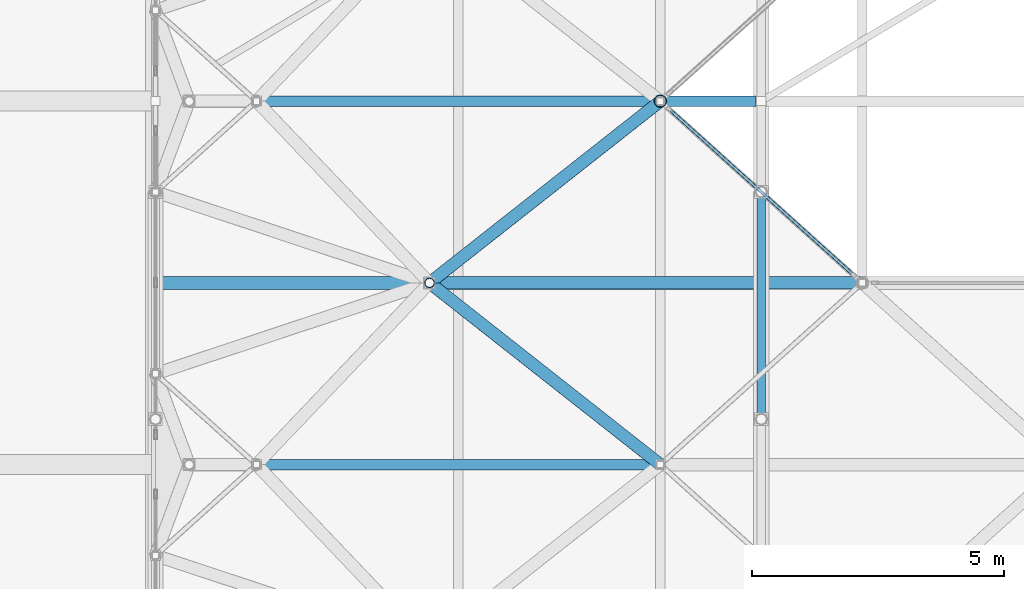
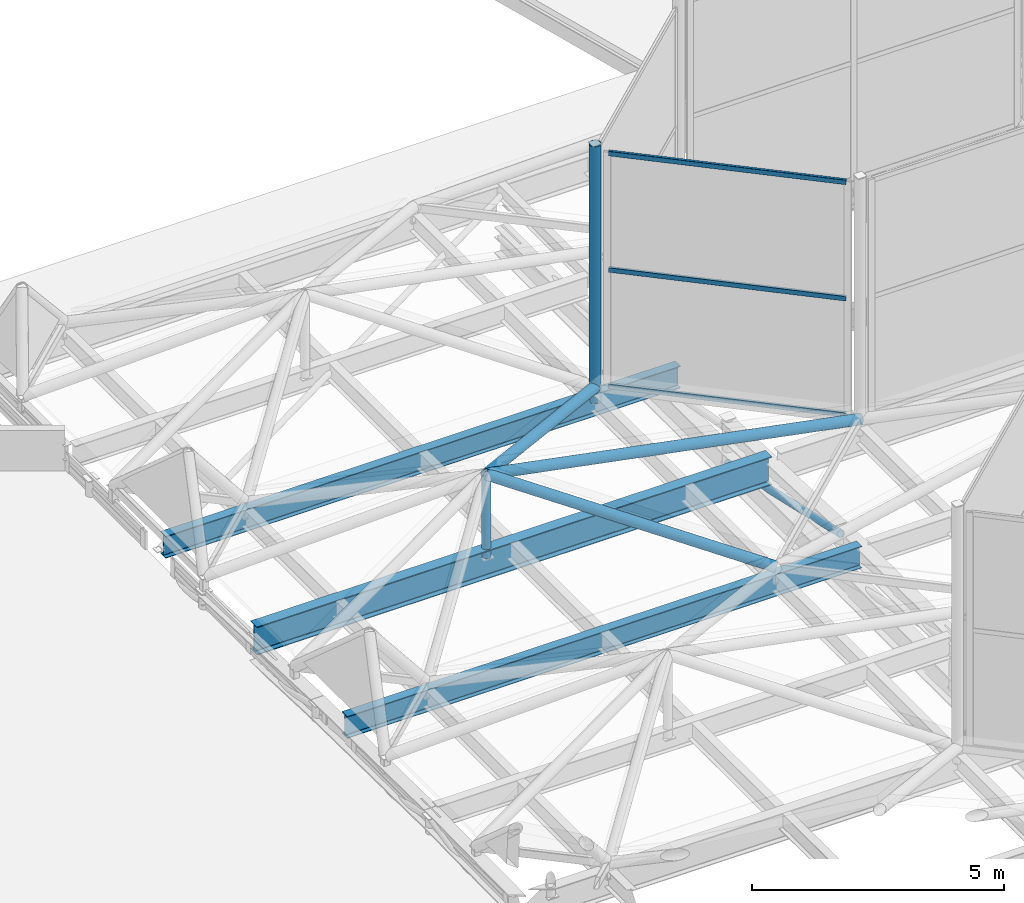
# One storey, part 65 of 239: 9 members, 3 beams, 1 element without a shape of its own.
"""IFC4 building model written with IfcOpenShell, lengths in metres."""

from ifc_helpers import new_model, si_unit, direction, frame, origin, origin_2d, place, context, subcontext, project, spatial, hollow_rectangle, hollow_circle, i_section, extrude, material, layer, layer_set, material_profile, profile_set, type_object, element, aggregate, save


model = new_model("IFC4")

# Units and contexts
model_context = context("Model", 3, precision=1e-05, world=origin(), true_north=direction((0.0, 1.0)))
body_context = subcontext(model_context, "Body", "Model", "MODEL_VIEW")
ifc_project = project(units=[si_unit("LENGTHUNIT", "METRE"), si_unit("AREAUNIT", "SQUARE_METRE"), si_unit("VOLUMEUNIT", "CUBIC_METRE"), si_unit("PLANEANGLEUNIT", "RADIAN"), si_unit("MASSUNIT", "GRAM", prefix="KILO")], contexts=[model_context])

# Site, building, storey
site_placement = place(None, origin())
site = spatial("IfcSite", under=ifc_project, at=site_placement, CompositionType="ELEMENT")
building_placement = place(site_placement, origin())
building = spatial("IfcBuilding", under=site, at=building_placement, Name="Dunvalen Ferry Terminal", CompositionType="ELEMENT")
storey_placement = place(building_placement, frame((0.0, 0.0, 9.840087890625)))
storey = spatial("IfcBuildingStorey", under=building, at=storey_placement, Name="L02", CompositionType="ELEMENT", Elevation=9.840087890625)

# Curtain wall, members
ifc_material_1 = material(Name="Anodised marine aluminium and solar-control glazing", Category="aluminium")
ifc_layer = layer(ifc_material_1, 0.179931640625, Name="Anodised marine aluminium and solar-control glazing")
ifc_layer_set = layer_set([ifc_layer], Name="Anodised marine aluminium and solar-control glazing")
curtain_wall_type = type_object("IfcCurtainWallType", Name="ENV-CW-SYS-05", PredefinedType="NOTDEFINED", material=ifc_layer_set)
curtain_wall_placement = place(storey_placement, origin())
curtain_wall = element("IfcCurtainWall", 1, at=curtain_wall_placement, inside=storey, type_object=curtain_wall_type, Name="L02 Curtain Wall CW-HEX-16-SK-1", PredefinedType="NOTDEFINED")
ifc_material_2 = material(Name="Anodised marine aluminium EN AW-6063 T6", Category="aluminium")
ifc_material_profile_1 = material_profile(ifc_material_2, hollow_rectangle(XDim=0.06005859375, YDim=0.114990234375, WallThickness=0.0029296875, InnerFilletRadius=0.0029296875, OuterFilletRadius=0.006103515625, at=origin_2d()), Name="Anodised marine aluminium EN AW-6063 T6")
ifc_profile_set_1 = profile_set([ifc_material_profile_1], Name="Anodised marine aluminium EN AW-6063 T6")
member_type_1 = type_object("IfcMemberType", Name="ENV-CW-TRN-3", PredefinedType="USERDEFINED", material=ifc_profile_set_1)
member_1_placement = place(storey_placement, frame((22.2080078125, 79.0126953125, 1.169921875), z_axis=(0.743319323261, -0.668936756104, 0.0), x_axis=(0.668936756104, 0.743319323261, 0.0)))
member_1 = element("IfcMember", 2, at=member_1_placement, type_object=member_type_1, Name="CW-05 transom 1.1", ObjectType="TRANSOM", PredefinedType="USERDEFINED", context=body_context, shape_type="SweptSolid", body=[
    extrude(hollow_rectangle(XDim=0.06005859375, YDim=0.114990234375, WallThickness=0.0029296875, InnerFilletRadius=0.0029296875, OuterFilletRadius=0.006103515625, at=origin_2d()), origin(), (0.0, 0.0, 1.0), 4.821533203125),
])
member_2_placement = place(storey_placement, frame((22.2080078125, 79.0126953125, 3.989990234375), z_axis=(0.743319323261, -0.668936756104, 0.0), x_axis=(0.668936756104, 0.743319323261, 0.0)))
member_2 = element("IfcMember", 3, at=member_2_placement, type_object=member_type_1, Name="CW-05 transom 1.2", ObjectType="TRANSOM", PredefinedType="USERDEFINED", context=body_context, shape_type="SweptSolid", body=[
    extrude(hollow_rectangle(XDim=0.06005859375, YDim=0.114990234375, WallThickness=0.0029296875, InnerFilletRadius=0.0029296875, OuterFilletRadius=0.006103515625, at=origin_2d()), origin(), (0.0, 0.0, 1.0), 4.821533203125),
])
member_3_placement = place(storey_placement, frame((22.2080078125, 79.0126953125, 6.809814453125), z_axis=(0.743319323261, -0.668936756104, 0.0), x_axis=(0.668936756104, 0.743319323261, 0.0)))
member_3 = element("IfcMember", 4, at=member_3_placement, type_object=member_type_1, Name="CW-05 transom 1.3", ObjectType="TRANSOM", PredefinedType="USERDEFINED", context=body_context, shape_type="SweptSolid", body=[
    extrude(hollow_rectangle(XDim=0.06005859375, YDim=0.114990234375, WallThickness=0.0029296875, InnerFilletRadius=0.0029296875, OuterFilletRadius=0.006103515625, at=origin_2d()), origin(), (0.0, 0.0, 1.0), 4.821533203125),
])
aggregate(curtain_wall, [member_1, member_2, member_3])

# Beams
ifc_material_3 = material(Name="Steel S355", Category="steel")
ifc_material_profile_2 = material_profile(ifc_material_3, i_section(OverallWidth=0.209228515625, OverallDepth=0.533203125, WebThickness=0.010009765625, FlangeThickness=0.015625, FilletRadius=0.0126953125, at=origin_2d()), Name="Steel S355")
ifc_profile_set_2 = profile_set([ifc_material_profile_2], Name="Steel S355")
beam_type_1 = type_object("IfcBeamType", Name="STR-BM-UKB533", PredefinedType="BEAM", material=ifc_profile_set_2)
for number, where, z_axis, x_axis, name in (
    (5, (12.10009765625, 72.0, 0.7333984375), (1.0, 0.0, 0.0), (0.0, 1.0, 0.0), "Departure Hall Spine Girder B1.07"),
    (6, (12.10009765625, 79.199951171875, 0.7333984375), (1.0, 0.0, 0.0), (0.0, 1.0, 0.0), "Departure Hall Spine Girder B1.09"),
):
    element("IfcBeam", number, at=place(storey_placement, frame(where, z_axis=z_axis, x_axis=x_axis)), inside=storey, type_object=beam_type_1, Name=name, PredefinedType="BEAM", context=body_context, shape_type="SweptSolid", body=[
        extrude(i_section(OverallWidth=0.209228515625, OverallDepth=0.533203125, WebThickness=0.010009765625, FlangeThickness=0.015625, FilletRadius=0.0126953125, at=origin_2d()), origin(), (0.0, 0.0, 1.0), 11.7998046875),
    ])
ifc_material_profile_3 = material_profile(ifc_material_3, i_section(OverallWidth=0.253662109375, OverallDepth=0.68359375, WebThickness=0.012451171875, FlangeThickness=0.01904296875, FilletRadius=0.01513671875, at=origin_2d()), Name="Steel S355")
ifc_profile_set_3 = profile_set([ifc_material_profile_3], Name="Steel S355")
beam_type_2 = type_object("IfcBeamType", Name="STR-BM-UKB686", PredefinedType="BEAM", material=ifc_profile_set_3)
beam_placement = place(storey_placement, frame((12.10009765625, 75.60009765625, 0.658203125), z_axis=(1.0, 0.0, 0.0), x_axis=(0.0, 1.0, 0.0)))
element("IfcBeam", 7, at=beam_placement, inside=storey, type_object=beam_type_2, Name="Departure Hall Spine Girder B1.08", PredefinedType="BEAM", context=body_context, shape_type="SweptSolid", body=[
    extrude(i_section(OverallWidth=0.253662109375, OverallDepth=0.68359375, WebThickness=0.012451171875, FlangeThickness=0.01904296875, FilletRadius=0.01513671875, at=origin_2d()), origin(), (0.0, 0.0, 1.0), 11.7998046875),
])

# Members
ifc_material_profile_4 = material_profile(ifc_material_3, hollow_circle(Radius=0.084228515625, WallThickness=0.008056640625, at=origin_2d()), Name="Steel S355")
ifc_profile_set_4 = profile_set([ifc_material_profile_4], Name="Steel S355")
member_type_2 = type_object("IfcMemberType", Name="STR-MB-CHS168", PredefinedType="BRACE", material=ifc_profile_set_4)
member_4_placement = place(storey_placement, frame((24.0, 72.89990234375, 0.65869140625), z_axis=(0.0, 0.975316524259, -0.220811407104), x_axis=(-1.0, 0.0, 0.0)))
element("IfcMember", 8, at=member_4_placement, inside=storey, type_object=member_type_2, Name="Departure Hall Arch Web Diagonal 02.6", PredefinedType="BRACE", context=body_context, shape_type="SweptSolid", body=[
    extrude(hollow_circle(Radius=0.084228515625, WallThickness=0.008056640625, at=origin_2d()), origin(), (0.0, 0.0, 1.0), 4.61376953125),
])
ifc_material_profile_5 = material_profile(ifc_material_3, hollow_circle(Radius=0.096923828125, WallThickness=0.008056640625, at=origin_2d()), Name="Steel S355")
ifc_profile_set_5 = profile_set([ifc_material_profile_5], Name="Steel S355")
member_type_3 = type_object("IfcMemberType", Name="STR-MB-CHS193", PredefinedType="STRUT", material=ifc_profile_set_5)
member_5_placement = place(storey_placement, frame((17.4287109375, 75.60009765625, 0.77001953125), z_axis=(0.0, 0.0, 1.0), x_axis=(1.0, 0.0, 0.0)))
element("IfcMember", 9, at=member_5_placement, inside=storey, type_object=member_type_3, Name="HEX-10 Pyramid Apex Strut", PredefinedType="STRUT", context=body_context, shape_type="SweptSolid", body=[
    extrude(hollow_circle(Radius=0.096923828125, WallThickness=0.008056640625, at=origin_2d()), origin(), (0.0, 0.0, 1.0), 1.994873046875),
])
ifc_material_profile_6 = material_profile(ifc_material_3, hollow_circle(Radius=0.122314453125, WallThickness=0.010009765625, at=origin_2d()), Name="Steel S355")
ifc_profile_set_6 = profile_set([ifc_material_profile_6], Name="Steel S355")
member_type_4 = type_object("IfcMemberType", Name="STR-MB-CHS244", PredefinedType="STRUT", material=ifc_profile_set_6)
member_6_placement = place(storey_placement, frame((22.0, 72.0, 1.099853515625), z_axis=(-0.755303948682, 0.594836147579, 0.275110709785), x_axis=(-0.61871061037, -0.785618979287, 0.0)))
element("IfcMember", 10, at=member_6_placement, inside=storey, type_object=member_type_4, Name="HEX-10 Pyramid Hip Rafter 4", PredefinedType="STRUT", context=body_context, shape_type="SweptSolid", body=[
    extrude(hollow_circle(Radius=0.122314453125, WallThickness=0.010009765625, at=origin_2d()), origin(), (0.0, 0.0, 1.0), 6.05224609375),
])
member_7_placement = place(storey_placement, frame((26.0, 75.60009765625, 1.099853515625), z_axis=(-0.981649716778, 0.0, 0.190693034876), x_axis=(0.0, -1.0, 0.0)))
element("IfcMember", 11, at=member_7_placement, inside=storey, type_object=member_type_4, Name="HEX-10 Pyramid Hip Rafter 5", PredefinedType="STRUT", context=body_context, shape_type="SweptSolid", body=[
    extrude(hollow_circle(Radius=0.122314453125, WallThickness=0.010009765625, at=origin_2d()), origin(), (0.0, 0.0, 1.0), 8.7314453125),
])
member_8_placement = place(storey_placement, frame((22.0, 79.199951171875, 1.099853515625), z_axis=(-0.755322072227, -0.594810080911, 0.275117311076), x_axis=(0.618684713088, -0.78563937388, 0.0)))
element("IfcMember", 12, at=member_8_placement, inside=storey, type_object=member_type_4, Name="HEX-10 Pyramid Hip Rafter 6", PredefinedType="STRUT", context=body_context, shape_type="SweptSolid", body=[
    extrude(hollow_circle(Radius=0.122314453125, WallThickness=0.010009765625, at=origin_2d()), origin(), (0.0, 0.0, 1.0), 6.052001953125),
])
member_9_placement = place(storey_placement, frame((22.0, 79.199951171875, 0.77001953125), z_axis=(0.0, 0.0, 1.0), x_axis=(1.0, 0.0, 0.0)))
element("IfcMember", 13, at=member_9_placement, inside=storey, type_object=member_type_4, Name="HEX-16 Skylight Lantern Corner Strut 1", PredefinedType="STRUT", context=body_context, shape_type="SweptSolid", body=[
    extrude(hollow_circle(Radius=0.122314453125, WallThickness=0.010009765625, at=origin_2d()), origin(), (0.0, 0.0, 1.0), 6.22998046875),
])

save(model, "model.ifc")
